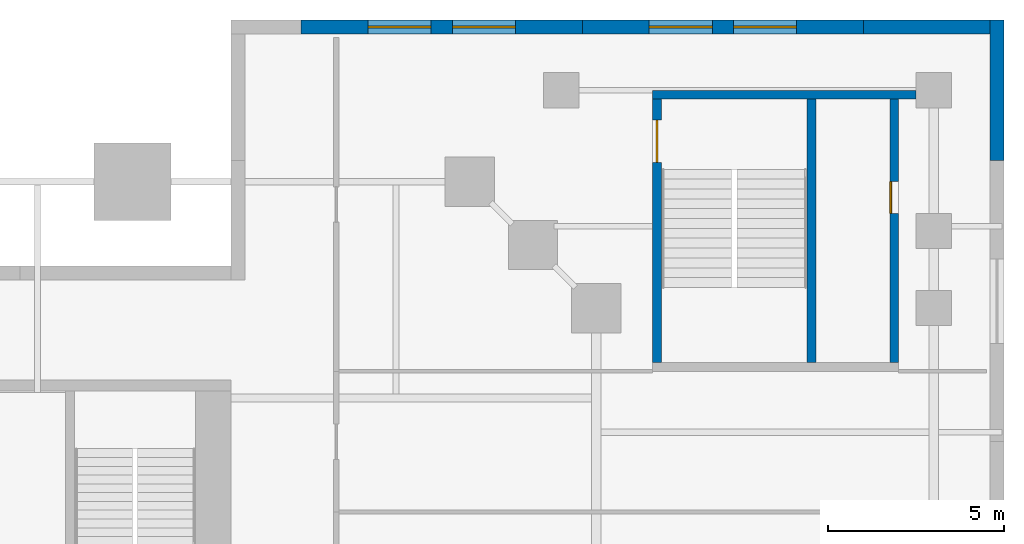
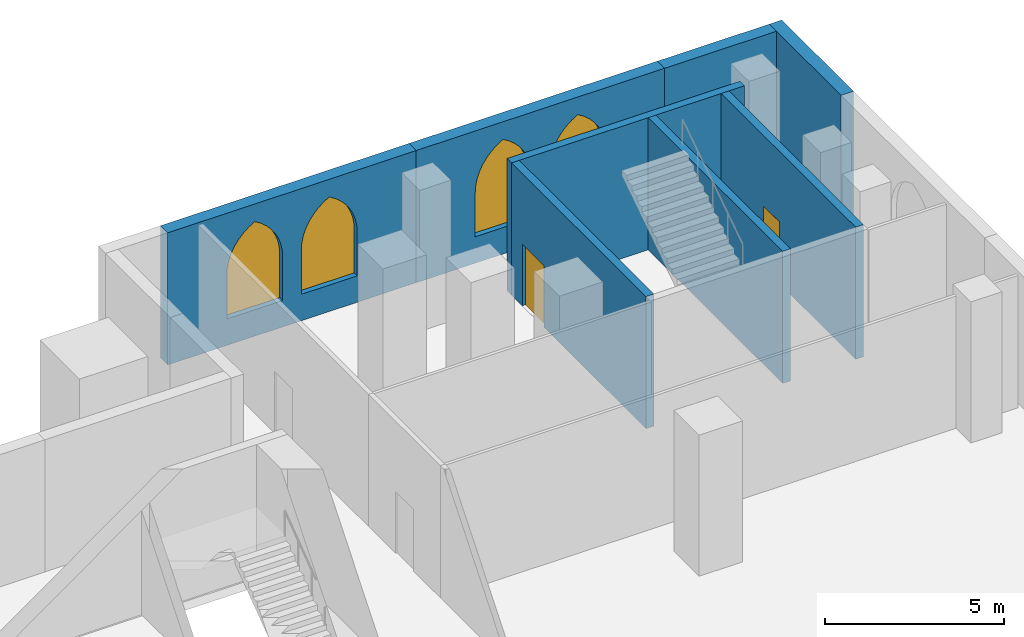
# One storey, part 17 of 19: 8 walls, 4 windows, 2 doors, 6 openings.
"""IFC4 building model written with IfcOpenShell, lengths in metres."""

from ifc_helpers import new_model, si_unit, direction, frame, frame_2d, origin, place, context, subcontext, project, spatial, polyline, rectangle, outline, extrude, material, layer, layer_set, type_object, element, fill, save


model = new_model("IFC4")

# Units and contexts
model_context = context("Model", 3, precision=1e-05, world=origin(), true_north=direction((0.0, 1.0)))
body_context = subcontext(model_context, "Body", "Model", "MODEL_VIEW")
ifc_project = project(units=[si_unit("LENGTHUNIT", "METRE"), si_unit("AREAUNIT", "SQUARE_METRE"), si_unit("VOLUMEUNIT", "CUBIC_METRE"), si_unit("PLANEANGLEUNIT", "RADIAN"), si_unit("MASSUNIT", "GRAM", prefix="KILO")], contexts=[model_context])

# Site, building, storey
site_placement = place(None, origin())
site = spatial("IfcSite", under=ifc_project, at=site_placement, CompositionType="ELEMENT")
building_placement = place(site_placement, origin())
building = spatial("IfcBuilding", under=site, at=building_placement, Name="Ogive Exchange Tower", CompositionType="ELEMENT")
storey_placement = place(building_placement, frame((0.0, 0.0, 19.199951171875)))
storey = spatial("IfcBuildingStorey", under=building, at=storey_placement, Name="L03", CompositionType="ELEMENT", Elevation=19.199951171875)

# Walls
ifc_material_1 = material(Name="Precast concrete C40/50", Category="concrete")
ifc_layer_1 = layer(ifc_material_1, 0.39990234375)
ifc_layer_set_1 = layer_set([ifc_layer_1], Name="Limestone-faced wall 400")
wall_type_1 = type_object("IfcWallType", Name="Limestone-faced wall 400", PredefinedType="STANDARD", material=ifc_layer_set_1)
wall_1_placement = place(storey_placement, frame((43.800048828125, 32.0, 0.0), z_axis=(0.0, 0.0, 1.0), x_axis=(0.0, 1.0, 0.0)))
element("IfcWall", 1, at=wall_1_placement, inside=storey, type_object=wall_type_1, Name="Podium wall E12", PredefinedType="STANDARD", context=body_context, shape_type="SweptSolid", body=[
    extrude(rectangle(XDim=4.0, YDim=0.39990234375, at=frame_2d((2.0, 0.0))), origin(), (0.0, 0.0, 1.0), 4.5),
])
wall_2_placement = place(storey_placement, frame((43.60009765625, 35.800048828125, 0.0), z_axis=(0.0, 0.0, 1.0), x_axis=(-1.0, 0.0, 0.0)))
element("IfcWall", 2, at=wall_2_placement, inside=storey, type_object=wall_type_1, Name="Podium wall N1", PredefinedType="STANDARD", context=body_context, shape_type="SweptSolid", body=[
    extrude(rectangle(XDim=3.60009765625, YDim=0.39990234375, at=frame_2d((1.800048828125, 0.0))), origin(), (0.0, 0.0, 1.0), 4.5),
])

# Wall, openings, windows
wall_3_placement = place(storey_placement, frame((40.0, 35.800048828125, 0.0), z_axis=(0.0, 0.0, 1.0), x_axis=(-1.0, 0.0, 0.0)))
wall_3 = element("IfcWall", 3, at=wall_3_placement, inside=storey, type_object=wall_type_1, Name="Podium wall N2", PredefinedType="STANDARD", context=body_context, shape_type="SweptSolid", body=[
    extrude(rectangle(XDim=8.0, YDim=0.39990234375, at=frame_2d((4.0, 0.0))), origin(), (0.0, 0.0, 1.0), 4.5),
])
opening_1_placement = place(wall_3_placement, frame((1.89990234375, 0.0, 0.89990234375)))
opening_1 = element("IfcOpeningElement", 4, at=opening_1_placement, cuts=wall_3, Name="Opening WQ300", PredefinedType="OPENING", context=body_context, shape_type="SweptSolid", body=[
    extrude(outline(polyline([(0.0, 0.0), (1.800048828125, 0.0), (1.800048828125, 1.5), (1.78466796875, 1.72900390625), (1.73828125, 1.953857421875), (1.662353515625, 2.17041015625), (1.557861328125, 2.374755859375), (1.4267578125, 2.56298828125), (1.271484375, 2.73193359375), (1.0947265625, 2.878662109375), (0.89990234375, 3.0), (0.705322265625, 2.878662109375), (0.528564453125, 2.73193359375), (0.373291015625, 2.56298828125), (0.2421875, 2.374755859375), (0.1376953125, 2.17041015625), (0.061767578125, 1.953857421875), (0.015380859375, 1.72900390625), (0.0, 1.5), (0.0, 0.0)])), frame((0.0, 0.2099609375, 0.0), z_axis=(0.0, -1.0, 0.0), x_axis=(1.0, 0.0, 0.0)), (0.0, 0.0, 1.0), 0.419921875),
])
opening_2_placement = place(wall_3_placement, frame((4.300048828125, 0.0, 0.89990234375)))
opening_2 = element("IfcOpeningElement", 5, at=opening_2_placement, cuts=wall_3, Name="Opening WQ300", PredefinedType="OPENING", context=body_context, shape_type="SweptSolid", body=[
    extrude(outline(polyline([(0.0, 0.0), (1.800048828125, 0.0), (1.800048828125, 1.5), (1.78466796875, 1.72900390625), (1.73828125, 1.953857421875), (1.662353515625, 2.17041015625), (1.557861328125, 2.374755859375), (1.4267578125, 2.56298828125), (1.271484375, 2.73193359375), (1.0947265625, 2.878662109375), (0.89990234375, 3.0), (0.705322265625, 2.878662109375), (0.528564453125, 2.73193359375), (0.373291015625, 2.56298828125), (0.2421875, 2.374755859375), (0.1376953125, 2.17041015625), (0.061767578125, 1.953857421875), (0.015380859375, 1.72900390625), (0.0, 1.5), (0.0, 0.0)])), frame((0.0, 0.2099609375, 0.0), z_axis=(0.0, -1.0, 0.0), x_axis=(1.0, 0.0, 0.0)), (0.0, 0.0, 1.0), 0.419921875),
])
ifc_material_2 = material(Name="Clear glass in bronze frame", Category="glass")
window_type = type_object("IfcWindowType", Name="Podium paired lancet 1800 x 3000", PartitioningType="DOUBLE_PANEL_VERTICAL", PredefinedType="WINDOW", material=ifc_material_2)
window_1_placement = place(opening_1_placement, origin())
window_1 = element("IfcWindow", 6, at=window_1_placement, inside=storey, type_object=window_type, Name="Podium paired lancet N2.1", OverallHeight=3.0, OverallWidth=1.800048828125, PartitioningType="DOUBLE_PANEL_VERTICAL", PredefinedType="WINDOW", context=body_context, shape_type="SweptSolid", body=[
    extrude(outline(polyline([(0.0, 0.0), (1.800048828125, 0.0), (1.800048828125, 1.5), (1.78466796875, 1.72900390625), (1.73828125, 1.953857421875), (1.662353515625, 2.17041015625), (1.557861328125, 2.374755859375), (1.4267578125, 2.56298828125), (1.271484375, 2.73193359375), (1.0947265625, 2.878662109375), (0.89990234375, 3.0), (0.705322265625, 2.878662109375), (0.528564453125, 2.73193359375), (0.373291015625, 2.56298828125), (0.2421875, 2.374755859375), (0.1376953125, 2.17041015625), (0.061767578125, 1.953857421875), (0.015380859375, 1.72900390625), (0.0, 1.5), (0.0, 0.0)])), frame((0.0, 0.030029296875, 0.0), z_axis=(0.0, -1.0, 0.0), x_axis=(1.0, 0.0, 0.0)), (0.0, 0.0, 1.0), 0.06005859375),
])
fill(opening_1, window_1)
window_2_placement = place(opening_2_placement, origin())
window_2 = element("IfcWindow", 7, at=window_2_placement, inside=storey, type_object=window_type, Name="Podium paired lancet N2.2", OverallHeight=3.0, OverallWidth=1.800048828125, PartitioningType="DOUBLE_PANEL_VERTICAL", PredefinedType="WINDOW", context=body_context, shape_type="SweptSolid", body=[
    extrude(outline(polyline([(0.0, 0.0), (1.800048828125, 0.0), (1.800048828125, 1.5), (1.78466796875, 1.72900390625), (1.73828125, 1.953857421875), (1.662353515625, 2.17041015625), (1.557861328125, 2.374755859375), (1.4267578125, 2.56298828125), (1.271484375, 2.73193359375), (1.0947265625, 2.878662109375), (0.89990234375, 3.0), (0.705322265625, 2.878662109375), (0.528564453125, 2.73193359375), (0.373291015625, 2.56298828125), (0.2421875, 2.374755859375), (0.1376953125, 2.17041015625), (0.061767578125, 1.953857421875), (0.015380859375, 1.72900390625), (0.0, 1.5), (0.0, 0.0)])), frame((0.0, 0.030029296875, 0.0), z_axis=(0.0, -1.0, 0.0), x_axis=(1.0, 0.0, 0.0)), (0.0, 0.0, 1.0), 0.06005859375),
])
fill(opening_2, window_2)

wall_4_placement = place(storey_placement, frame((32.0, 35.800048828125, 0.0), z_axis=(0.0, 0.0, 1.0), x_axis=(-1.0, 0.0, 0.0)))
wall_4 = element("IfcWall", 8, at=wall_4_placement, inside=storey, type_object=wall_type_1, Name="Podium wall N3", PredefinedType="STANDARD", context=body_context, shape_type="SweptSolid", body=[
    extrude(rectangle(XDim=8.0, YDim=0.39990234375, at=frame_2d((4.0, 0.0))), origin(), (0.0, 0.0, 1.0), 4.5),
])
opening_3_placement = place(wall_4_placement, frame((1.89990234375, 0.0, 0.89990234375)))
opening_3 = element("IfcOpeningElement", 9, at=opening_3_placement, cuts=wall_4, Name="Opening WQ300", PredefinedType="OPENING", context=body_context, shape_type="SweptSolid", body=[
    extrude(outline(polyline([(0.0, 0.0), (1.800048828125, 0.0), (1.800048828125, 1.5), (1.78466796875, 1.72900390625), (1.73828125, 1.953857421875), (1.662353515625, 2.17041015625), (1.557861328125, 2.374755859375), (1.4267578125, 2.56298828125), (1.271484375, 2.73193359375), (1.0947265625, 2.878662109375), (0.89990234375, 3.0), (0.705322265625, 2.878662109375), (0.528564453125, 2.73193359375), (0.373291015625, 2.56298828125), (0.2421875, 2.374755859375), (0.1376953125, 2.17041015625), (0.061767578125, 1.953857421875), (0.015380859375, 1.72900390625), (0.0, 1.5), (0.0, 0.0)])), frame((0.0, 0.2099609375, 0.0), z_axis=(0.0, -1.0, 0.0), x_axis=(1.0, 0.0, 0.0)), (0.0, 0.0, 1.0), 0.419921875),
])
opening_4_placement = place(wall_4_placement, frame((4.300048828125, 0.0, 0.89990234375)))
opening_4 = element("IfcOpeningElement", 10, at=opening_4_placement, cuts=wall_4, Name="Opening WQ300", PredefinedType="OPENING", context=body_context, shape_type="SweptSolid", body=[
    extrude(outline(polyline([(0.0, 0.0), (1.800048828125, 0.0), (1.800048828125, 1.5), (1.78466796875, 1.72900390625), (1.73828125, 1.953857421875), (1.662353515625, 2.17041015625), (1.557861328125, 2.374755859375), (1.4267578125, 2.56298828125), (1.271484375, 2.73193359375), (1.0947265625, 2.878662109375), (0.89990234375, 3.0), (0.705322265625, 2.878662109375), (0.528564453125, 2.73193359375), (0.373291015625, 2.56298828125), (0.2421875, 2.374755859375), (0.1376953125, 2.17041015625), (0.061767578125, 1.953857421875), (0.015380859375, 1.72900390625), (0.0, 1.5), (0.0, 0.0)])), frame((0.0, 0.2099609375, 0.0), z_axis=(0.0, -1.0, 0.0), x_axis=(1.0, 0.0, 0.0)), (0.0, 0.0, 1.0), 0.419921875),
])
window_3_placement = place(opening_3_placement, origin())
window_3 = element("IfcWindow", 11, at=window_3_placement, inside=storey, type_object=window_type, Name="Podium paired lancet N3.1", OverallHeight=3.0, OverallWidth=1.800048828125, PartitioningType="DOUBLE_PANEL_VERTICAL", PredefinedType="WINDOW", context=body_context, shape_type="SweptSolid", body=[
    extrude(outline(polyline([(0.0, 0.0), (1.800048828125, 0.0), (1.800048828125, 1.5), (1.78466796875, 1.72900390625), (1.73828125, 1.953857421875), (1.662353515625, 2.17041015625), (1.557861328125, 2.374755859375), (1.4267578125, 2.56298828125), (1.271484375, 2.73193359375), (1.0947265625, 2.878662109375), (0.89990234375, 3.0), (0.705322265625, 2.878662109375), (0.528564453125, 2.73193359375), (0.373291015625, 2.56298828125), (0.2421875, 2.374755859375), (0.1376953125, 2.17041015625), (0.061767578125, 1.953857421875), (0.015380859375, 1.72900390625), (0.0, 1.5), (0.0, 0.0)])), frame((0.0, 0.030029296875, 0.0), z_axis=(0.0, -1.0, 0.0), x_axis=(1.0, 0.0, 0.0)), (0.0, 0.0, 1.0), 0.06005859375),
])
fill(opening_3, window_3)
window_4_placement = place(opening_4_placement, origin())
window_4 = element("IfcWindow", 12, at=window_4_placement, inside=storey, type_object=window_type, Name="Podium paired lancet N3.2", OverallHeight=3.0, OverallWidth=1.800048828125, PartitioningType="DOUBLE_PANEL_VERTICAL", PredefinedType="WINDOW", context=body_context, shape_type="SweptSolid", body=[
    extrude(outline(polyline([(0.0, 0.0), (1.800048828125, 0.0), (1.800048828125, 1.5), (1.78466796875, 1.72900390625), (1.73828125, 1.953857421875), (1.662353515625, 2.17041015625), (1.557861328125, 2.374755859375), (1.4267578125, 2.56298828125), (1.271484375, 2.73193359375), (1.0947265625, 2.878662109375), (0.89990234375, 3.0), (0.705322265625, 2.878662109375), (0.528564453125, 2.73193359375), (0.373291015625, 2.56298828125), (0.2421875, 2.374755859375), (0.1376953125, 2.17041015625), (0.061767578125, 1.953857421875), (0.015380859375, 1.72900390625), (0.0, 1.5), (0.0, 0.0)])), frame((0.0, 0.030029296875, 0.0), z_axis=(0.0, -1.0, 0.0), x_axis=(1.0, 0.0, 0.0)), (0.0, 0.0, 1.0), 0.06005859375),
])
fill(opening_4, window_4)

# Wall
ifc_material_3 = material(Name="Concrete C70/85", Category="concrete")
ifc_layer_2 = layer(ifc_material_3, 0.25)
ifc_layer_set_2 = layer_set([ifc_layer_2], Name="RC core wall 250 C70/85")
wall_type_2 = type_object("IfcWallType", Name="RC core wall 250 C70/85", PredefinedType="SHEAR", material=ifc_layer_set_2)
wall_5_placement = place(storey_placement, frame((34.0, 33.875, 0.0), z_axis=(0.0, 0.0, 1.0), x_axis=(1.0, 0.0, 0.0)))
element("IfcWall", 13, at=wall_5_placement, inside=storey, type_object=wall_type_2, Name="PS4 north wall", PredefinedType="SHEAR", context=body_context, shape_type="SweptSolid", body=[
    extrude(rectangle(XDim=7.5, YDim=0.25, at=frame_2d((3.75, 0.0))), origin(), (0.0, 0.0, 1.0), 4.5),
])

# Wall, opening, door
wall_6_placement = place(storey_placement, frame((34.125, 26.25, 0.0), z_axis=(0.0, 0.0, 1.0), x_axis=(0.0, 1.0, 0.0)))
wall_6 = element("IfcWall", 14, at=wall_6_placement, inside=storey, type_object=wall_type_2, Name="PS4 west wall", PredefinedType="SHEAR", context=body_context, shape_type="SweptSolid", body=[
    extrude(rectangle(XDim=7.5, YDim=0.25, at=frame_2d((3.75, 0.0))), origin(), (0.0, 0.0, 1.0), 4.5),
])
opening_5_placement = place(wall_6_placement, frame((5.699951171875, 0.0, 0.0)))
opening_5 = element("IfcOpeningElement", 15, at=opening_5_placement, cuts=wall_6, Name="Opening L03-C51", PredefinedType="OPENING", context=body_context, shape_type="SweptSolid", body=[
    extrude(rectangle(XDim=1.199951171875, YDim=2.10009765625, at=frame_2d((0.60009765625, 1.050048828125))), frame((0.0, 0.135009765625, 0.0), z_axis=(0.0, -1.0, 0.0), x_axis=(1.0, 0.0, 0.0)), (0.0, 0.0, 1.0), 0.27001953125),
])
ifc_material_4 = material(Name="Steel fire door", Category="steel")
door_type_1 = type_object("IfcDoorType", Name="Stair door FD90 1200 x 2100", OperationType="NOTDEFINED", PredefinedType="DOOR", material=ifc_material_4)
door_1_placement = place(opening_5_placement, origin())
door_1 = element("IfcDoor", 16, at=door_1_placement, inside=storey, type_object=door_type_1, Name="Stair door", ObjectType="CD5", OperationType="SINGLE_SWING_LEFT", OverallHeight=2.10009765625, OverallWidth=1.199951171875, PredefinedType="DOOR", context=body_context, shape_type="SweptSolid", body=[
    extrude(rectangle(XDim=1.199951171875, YDim=2.10009765625, at=frame_2d((0.60009765625, 1.050048828125))), frame((0.0, 0.02490234375, 0.0), z_axis=(0.0, -1.0, 0.0), x_axis=(1.0, 0.0, 0.0)), (0.0, 0.0, 1.0), 0.050048828125),
])
fill(opening_5, door_1)

wall_7_placement = place(storey_placement, frame((40.875, 26.25, 0.0), z_axis=(0.0, 0.0, 1.0), x_axis=(0.0, 1.0, 0.0)))
wall_7 = element("IfcWall", 17, at=wall_7_placement, inside=storey, type_object=wall_type_2, Name="PS4 east wall", PredefinedType="SHEAR", context=body_context, shape_type="SweptSolid", body=[
    extrude(rectangle(XDim=7.5, YDim=0.25, at=frame_2d((3.75, 0.0))), origin(), (0.0, 0.0, 1.0), 4.5),
])
opening_6_placement = place(wall_7_placement, frame((4.25, 0.0, 0.0)))
opening_6 = element("IfcOpeningElement", 18, at=opening_6_placement, cuts=wall_7, Name="Opening L03-C52", PredefinedType="OPENING", context=body_context, shape_type="SweptSolid", body=[
    extrude(rectangle(XDim=0.89990234375, YDim=2.10009765625, at=frame_2d((0.449951171875, 1.050048828125))), frame((0.0, 0.135009765625, 0.0), z_axis=(0.0, -1.0, 0.0), x_axis=(1.0, 0.0, 0.0)), (0.0, 0.0, 1.0), 0.27001953125),
])
door_type_2 = type_object("IfcDoorType", Name="Riser door FD60 900 x 2100", OperationType="NOTDEFINED", PredefinedType="DOOR", material=ifc_material_4)
door_2_placement = place(opening_6_placement, frame((0.89990234375, 0.2001953125, 0.0), z_axis=(0.0, 0.0, 1.0), x_axis=(-1.0, 0.0, 0.0)))
door_2 = element("IfcDoor", 19, at=door_2_placement, inside=storey, type_object=door_type_2, Name="Riser door", ObjectType="CD2", OperationType="SINGLE_SWING_RIGHT", OverallHeight=2.10009765625, OverallWidth=0.89990234375, PredefinedType="DOOR", context=body_context, shape_type="SweptSolid", body=[
    extrude(rectangle(XDim=0.89990234375, YDim=2.10009765625, at=frame_2d((0.449951171875, 1.050048828125))), frame((0.0, 0.125, 0.0), z_axis=(0.0, -1.0, 0.0), x_axis=(1.0, 0.0, 0.0)), (0.0, 0.0, 1.0), 0.050048828125),
])
fill(opening_6, door_2)

# Wall
wall_8_placement = place(storey_placement, frame((38.52490234375, 26.25, 0.0), z_axis=(0.0, 0.0, 1.0), x_axis=(0.0, 1.0, 0.0)))
element("IfcWall", 20, at=wall_8_placement, inside=storey, type_object=wall_type_2, Name="PS4 partition wall", PredefinedType="SHEAR", context=body_context, shape_type="SweptSolid", body=[
    extrude(rectangle(XDim=7.5, YDim=0.25, at=frame_2d((3.75, 0.0))), origin(), (0.0, 0.0, 1.0), 4.5),
])

save(model, "model.ifc")
